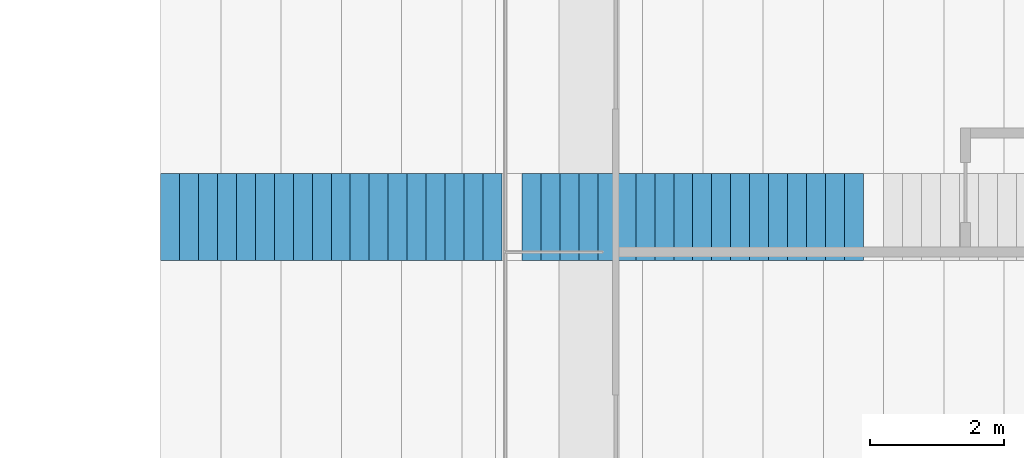
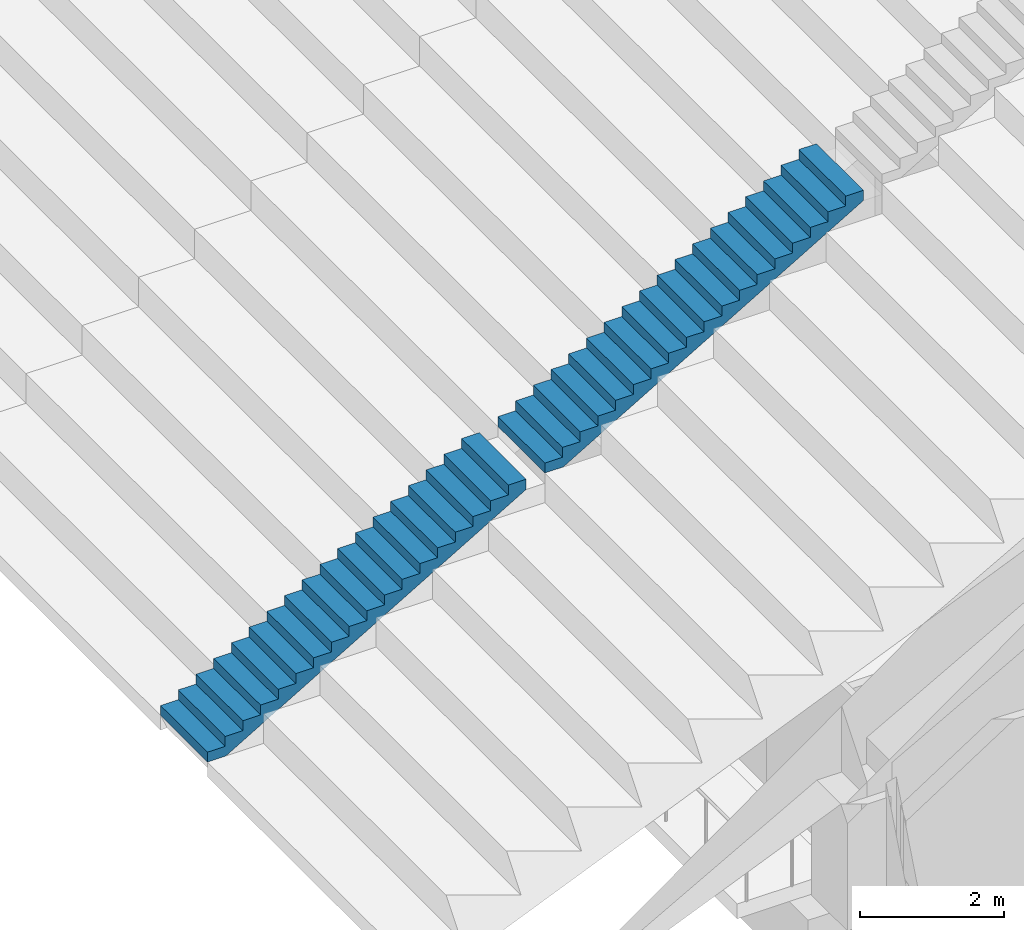
# One storey, part 174 of 249: 2 stair flights, 1 element without a shape of its own.
"""IFC4 building model written with IfcOpenShell, lengths in metres."""

from ifc_helpers import new_model, si_unit, direction, frame, origin, place, context, subcontext, project, spatial, faceted_brep, material, type_object, element, aggregate, save


model = new_model("IFC4")

# Units and contexts
model_context = context("Model", 3, precision=1e-05, world=origin(), true_north=direction((0.0, 1.0)))
body_context = subcontext(model_context, "Body", "Model", "MODEL_VIEW")
ifc_project = project(units=[si_unit("LENGTHUNIT", "METRE"), si_unit("AREAUNIT", "SQUARE_METRE"), si_unit("VOLUMEUNIT", "CUBIC_METRE"), si_unit("PLANEANGLEUNIT", "RADIAN"), si_unit("MASSUNIT", "GRAM", prefix="KILO")], contexts=[model_context])

# Site, building, storey
site_placement = place(None, origin())
site = spatial("IfcSite", under=ifc_project, at=site_placement, CompositionType="ELEMENT")
building_placement = place(site_placement, origin())
building = spatial("IfcBuilding", under=site, at=building_placement, Name="Ogive Plaza Stadium", CompositionType="ELEMENT")
storey_placement = place(building_placement, frame((0.0, 0.0, 13.5)))
storey = spatial("IfcBuildingStorey", under=building, at=storey_placement, Name="L03", CompositionType="ELEMENT", Elevation=13.5)

# Stair, stair flights
ifc_material_1 = material(Name="Concrete C40/50", Category="concrete")
stair_type = type_object("IfcStairType", Name="Aisle stair", PredefinedType="STRAIGHT_RUN_STAIR", material=ifc_material_1)
stair_placement = place(storey_placement, origin())
stair = element("IfcStair", 1, at=stair_placement, inside=storey, type_object=stair_type, Name="Aisle stair SA07U", PredefinedType="STRAIGHT_RUN_STAIR")
ifc_material_2 = material(Name="Concrete C40/50", Category="concrete")
stair_flight_type = type_object("IfcStairFlightType", Name="Aisle stair flight", PredefinedType="STRAIGHT", material=ifc_material_2)
stair_flight_1_placement = place(storey_placement, frame((55.5, -45.0, 0.5), z_axis=(0.0, 0.0, 1.0), x_axis=(1.0, 0.0, 0.0)))
stair_flight_1 = element("IfcStairFlight", 2, at=stair_flight_1_placement, type_object=stair_flight_type, Name="SA07U flight 1", NumberOfRisers=18, NumberOfTreads=17, PredefinedType="STRAIGHT", RiserHeight=0.166666667, TreadLength=0.283333333, context=body_context, shape_type="Brep", body=[
    faceted_brep([(0.295654296875, -0.64990234375, 0.0), (5.10009765625, -0.64990234375, 2.826171875), (5.10009765625, -0.64990234375, 3.0), (4.816650390625, -0.64990234375, 3.0), (4.816650390625, -0.64990234375, 2.833251953125), (4.533447265625, -0.64990234375, 2.833251953125), (4.533447265625, -0.64990234375, 2.666748046875), (4.25, -0.64990234375, 2.666748046875), (4.25, -0.64990234375, 2.5), (3.966552734375, -0.64990234375, 2.5), (3.966552734375, -0.64990234375, 2.333251953125), (3.683349609375, -0.64990234375, 2.333251953125), (3.683349609375, -0.64990234375, 2.166748046875), (3.39990234375, -0.64990234375, 2.166748046875), (3.39990234375, -0.64990234375, 2.0), (3.11669921875, -0.64990234375, 2.0), (3.11669921875, -0.64990234375, 1.833251953125), (2.833251953125, -0.64990234375, 1.833251953125), (2.833251953125, -0.64990234375, 1.666748046875), (2.550048828125, -0.64990234375, 1.666748046875), (2.550048828125, -0.64990234375, 1.5), (2.2666015625, -0.64990234375, 1.5), (2.2666015625, -0.64990234375, 1.333251953125), (1.9833984375, -0.64990234375, 1.333251953125), (1.9833984375, -0.64990234375, 1.166748046875), (1.699951171875, -0.64990234375, 1.166748046875), (1.699951171875, -0.64990234375, 1.0), (1.416748046875, -0.64990234375, 1.0), (1.416748046875, -0.64990234375, 0.833251953125), (1.13330078125, -0.64990234375, 0.833251953125), (1.13330078125, -0.64990234375, 0.666748046875), (0.85009765625, -0.64990234375, 0.666748046875), (0.85009765625, -0.64990234375, 0.5), (0.566650390625, -0.64990234375, 0.5), (0.566650390625, -0.64990234375, 0.333251953125), (0.283447265625, -0.64990234375, 0.333251953125), (0.283447265625, -0.64990234375, 0.166748046875), (0.0, -0.64990234375, 0.166748046875), (0.0, -0.64990234375, 0.0), (0.0, 0.64990234375, 0.0), (0.0, 0.64990234375, 0.166748046875), (0.283447265625, 0.64990234375, 0.166748046875), (0.283447265625, 0.64990234375, 0.333251953125), (0.566650390625, 0.64990234375, 0.333251953125), (0.566650390625, 0.64990234375, 0.5), (0.85009765625, 0.64990234375, 0.5), (0.85009765625, 0.64990234375, 0.666748046875), (1.13330078125, 0.64990234375, 0.666748046875), (1.13330078125, 0.64990234375, 0.833251953125), (1.416748046875, 0.64990234375, 0.833251953125), (1.416748046875, 0.64990234375, 1.0), (1.699951171875, 0.64990234375, 1.0), (1.699951171875, 0.64990234375, 1.166748046875), (1.9833984375, 0.64990234375, 1.166748046875), (1.9833984375, 0.64990234375, 1.333251953125), (2.2666015625, 0.64990234375, 1.333251953125), (2.2666015625, 0.64990234375, 1.5), (2.550048828125, 0.64990234375, 1.5), (2.550048828125, 0.64990234375, 1.666748046875), (2.833251953125, 0.64990234375, 1.666748046875), (2.833251953125, 0.64990234375, 1.833251953125), (3.11669921875, 0.64990234375, 1.833251953125), (3.11669921875, 0.64990234375, 2.0), (3.39990234375, 0.64990234375, 2.0), (3.39990234375, 0.64990234375, 2.166748046875), (3.683349609375, 0.64990234375, 2.166748046875), (3.683349609375, 0.64990234375, 2.333251953125), (3.966552734375, 0.64990234375, 2.333251953125), (3.966552734375, 0.64990234375, 2.5), (4.25, 0.64990234375, 2.5), (4.25, 0.64990234375, 2.666748046875), (4.533447265625, 0.64990234375, 2.666748046875), (4.533447265625, 0.64990234375, 2.833251953125), (4.816650390625, 0.64990234375, 2.833251953125), (4.816650390625, 0.64990234375, 3.0), (5.10009765625, 0.64990234375, 3.0), (5.10009765625, 0.64990234375, 2.826171875), (0.295654296875, 0.64990234375, 0.0), (0.295654296875, -0.324951171875, 0.0), (5.10009765625, -0.324951171875, 2.826171875), (0.295654296875, 0.0, 0.0), (5.10009765625, 0.0, 2.826171875), (0.295654296875, 0.324951171875, 0.0), (5.10009765625, 0.324951171875, 2.826171875), (5.10009765625, -0.324951171875, 3.0), (5.10009765625, 0.0, 3.0), (5.10009765625, 0.324951171875, 3.0), (4.816650390625, -0.324951171875, 3.0), (4.816650390625, 0.0, 3.0), (4.816650390625, 0.324951171875, 3.0), (4.816650390625, -0.324951171875, 2.833251953125), (4.816650390625, 0.0, 2.833251953125), (4.816650390625, 0.324951171875, 2.833251953125), (4.533447265625, -0.324951171875, 2.833251953125), (4.533447265625, 0.0, 2.833251953125), (4.533447265625, 0.324951171875, 2.833251953125), (4.533447265625, -0.324951171875, 2.666748046875), (4.533447265625, 0.0, 2.666748046875), (4.533447265625, 0.324951171875, 2.666748046875), (4.25, -0.324951171875, 2.666748046875), (4.25, 0.0, 2.666748046875), (4.25, 0.324951171875, 2.666748046875), (4.25, -0.324951171875, 2.5), (4.25, 0.0, 2.5), (4.25, 0.324951171875, 2.5), (3.966552734375, -0.324951171875, 2.5), (3.966552734375, 0.0, 2.5), (3.966552734375, 0.324951171875, 2.5), (3.966552734375, -0.324951171875, 2.333251953125), (3.966552734375, 0.0, 2.333251953125), (3.966552734375, 0.324951171875, 2.333251953125), (3.683349609375, -0.324951171875, 2.333251953125), (3.683349609375, 0.0, 2.333251953125), (3.683349609375, 0.324951171875, 2.333251953125), (3.683349609375, -0.324951171875, 2.166748046875), (3.683349609375, 0.0, 2.166748046875), (3.683349609375, 0.324951171875, 2.166748046875), (3.39990234375, -0.324951171875, 2.166748046875), (3.39990234375, 0.0, 2.166748046875), (3.39990234375, 0.324951171875, 2.166748046875), (3.39990234375, -0.324951171875, 2.0), (3.39990234375, 0.0, 2.0), (3.39990234375, 0.324951171875, 2.0), (3.11669921875, -0.324951171875, 2.0), (3.11669921875, 0.0, 2.0), (3.11669921875, 0.324951171875, 2.0), (3.11669921875, -0.324951171875, 1.833251953125), (3.11669921875, 0.0, 1.833251953125), (3.11669921875, 0.324951171875, 1.833251953125), (2.833251953125, -0.324951171875, 1.833251953125), (2.833251953125, 0.0, 1.833251953125), (2.833251953125, 0.324951171875, 1.833251953125), (2.833251953125, -0.324951171875, 1.666748046875), (2.833251953125, 0.0, 1.666748046875), (2.833251953125, 0.324951171875, 1.666748046875), (2.550048828125, -0.324951171875, 1.666748046875), (2.550048828125, 0.0, 1.666748046875), (2.550048828125, 0.324951171875, 1.666748046875), (2.550048828125, -0.324951171875, 1.5), (2.550048828125, 0.0, 1.5), (2.550048828125, 0.324951171875, 1.5), (2.2666015625, -0.324951171875, 1.5), (2.2666015625, 0.0, 1.5), (2.2666015625, 0.324951171875, 1.5), (2.2666015625, -0.324951171875, 1.333251953125), (2.2666015625, 0.0, 1.333251953125), (2.2666015625, 0.324951171875, 1.333251953125), (1.9833984375, -0.324951171875, 1.333251953125), (1.9833984375, 0.0, 1.333251953125), (1.9833984375, 0.324951171875, 1.333251953125), (1.9833984375, -0.324951171875, 1.166748046875), (1.9833984375, 0.0, 1.166748046875), (1.9833984375, 0.324951171875, 1.166748046875), (1.699951171875, -0.324951171875, 1.166748046875), (1.699951171875, 0.0, 1.166748046875), (1.699951171875, 0.324951171875, 1.166748046875), (1.699951171875, -0.324951171875, 1.0), (1.699951171875, 0.0, 1.0), (1.699951171875, 0.324951171875, 1.0), (1.416748046875, -0.324951171875, 1.0), (1.416748046875, 0.0, 1.0), (1.416748046875, 0.324951171875, 1.0), (1.416748046875, -0.324951171875, 0.833251953125), (1.416748046875, 0.0, 0.833251953125), (1.416748046875, 0.324951171875, 0.833251953125), (1.13330078125, -0.324951171875, 0.833251953125), (1.13330078125, 0.0, 0.833251953125), (1.13330078125, 0.324951171875, 0.833251953125), (1.13330078125, -0.324951171875, 0.666748046875), (1.13330078125, 0.0, 0.666748046875), (1.13330078125, 0.324951171875, 0.666748046875), (0.85009765625, -0.324951171875, 0.666748046875), (0.85009765625, 0.0, 0.666748046875), (0.85009765625, 0.324951171875, 0.666748046875), (0.85009765625, -0.324951171875, 0.5), (0.85009765625, 0.0, 0.5), (0.85009765625, 0.324951171875, 0.5), (0.566650390625, -0.324951171875, 0.5), (0.566650390625, 0.0, 0.5), (0.566650390625, 0.324951171875, 0.5), (0.566650390625, -0.324951171875, 0.333251953125), (0.566650390625, 0.0, 0.333251953125), (0.566650390625, 0.324951171875, 0.333251953125), (0.283447265625, -0.324951171875, 0.333251953125), (0.283447265625, 0.0, 0.333251953125), (0.283447265625, 0.324951171875, 0.333251953125), (0.283447265625, -0.324951171875, 0.166748046875), (0.283447265625, 0.0, 0.166748046875), (0.283447265625, 0.324951171875, 0.166748046875), (0.0, -0.324951171875, 0.166748046875), (0.0, 0.0, 0.166748046875), (0.0, 0.324951171875, 0.166748046875), (0.0, -0.324951171875, 0.0), (0.0, 0.0, 0.0), (0.0, 0.324951171875, 0.0)], [[[0, 1, 2, 3, 4, 5, 6, 7, 8, 9, 10, 11, 12, 13, 14, 15, 16, 17, 18, 19, 20, 21, 22, 23, 24, 25, 26, 27, 28, 29, 30, 31, 32, 33, 34, 35, 36, 37, 38]], [[39, 40, 41, 42, 43, 44, 45, 46, 47, 48, 49, 50, 51, 52, 53, 54, 55, 56, 57, 58, 59, 60, 61, 62, 63, 64, 65, 66, 67, 68, 69, 70, 71, 72, 73, 74, 75, 76, 77]], [[0, 78, 79, 1]], [[78, 80, 81, 79]], [[80, 82, 83, 81]], [[82, 77, 76, 83]], [[1, 79, 84, 2]], [[79, 81, 85, 84]], [[81, 83, 86, 85]], [[83, 76, 75, 86]], [[2, 84, 87, 3]], [[84, 85, 88, 87]], [[85, 86, 89, 88]], [[86, 75, 74, 89]], [[3, 87, 90, 4]], [[87, 88, 91, 90]], [[88, 89, 92, 91]], [[89, 74, 73, 92]], [[4, 90, 93, 5]], [[90, 91, 94, 93]], [[91, 92, 95, 94]], [[92, 73, 72, 95]], [[5, 93, 96, 6]], [[93, 94, 97, 96]], [[94, 95, 98, 97]], [[95, 72, 71, 98]], [[6, 96, 99, 7]], [[96, 97, 100, 99]], [[97, 98, 101, 100]], [[98, 71, 70, 101]], [[7, 99, 102, 8]], [[99, 100, 103, 102]], [[100, 101, 104, 103]], [[101, 70, 69, 104]], [[8, 102, 105, 9]], [[102, 103, 106, 105]], [[103, 104, 107, 106]], [[104, 69, 68, 107]], [[9, 105, 108, 10]], [[105, 106, 109, 108]], [[106, 107, 110, 109]], [[107, 68, 67, 110]], [[10, 108, 111, 11]], [[108, 109, 112, 111]], [[109, 110, 113, 112]], [[110, 67, 66, 113]], [[11, 111, 114, 12]], [[111, 112, 115, 114]], [[112, 113, 116, 115]], [[113, 66, 65, 116]], [[12, 114, 117, 13]], [[114, 115, 118, 117]], [[115, 116, 119, 118]], [[116, 65, 64, 119]], [[13, 117, 120, 14]], [[117, 118, 121, 120]], [[118, 119, 122, 121]], [[119, 64, 63, 122]], [[14, 120, 123, 15]], [[120, 121, 124, 123]], [[121, 122, 125, 124]], [[122, 63, 62, 125]], [[15, 123, 126, 16]], [[123, 124, 127, 126]], [[124, 125, 128, 127]], [[125, 62, 61, 128]], [[16, 126, 129, 17]], [[126, 127, 130, 129]], [[127, 128, 131, 130]], [[128, 61, 60, 131]], [[17, 129, 132, 18]], [[129, 130, 133, 132]], [[130, 131, 134, 133]], [[131, 60, 59, 134]], [[18, 132, 135, 19]], [[132, 133, 136, 135]], [[133, 134, 137, 136]], [[134, 59, 58, 137]], [[19, 135, 138, 20]], [[135, 136, 139, 138]], [[136, 137, 140, 139]], [[137, 58, 57, 140]], [[20, 138, 141, 21]], [[138, 139, 142, 141]], [[139, 140, 143, 142]], [[140, 57, 56, 143]], [[21, 141, 144, 22]], [[141, 142, 145, 144]], [[142, 143, 146, 145]], [[143, 56, 55, 146]], [[22, 144, 147, 23]], [[144, 145, 148, 147]], [[145, 146, 149, 148]], [[146, 55, 54, 149]], [[23, 147, 150, 24]], [[147, 148, 151, 150]], [[148, 149, 152, 151]], [[149, 54, 53, 152]], [[24, 150, 153, 25]], [[150, 151, 154, 153]], [[151, 152, 155, 154]], [[152, 53, 52, 155]], [[25, 153, 156, 26]], [[153, 154, 157, 156]], [[154, 155, 158, 157]], [[155, 52, 51, 158]], [[26, 156, 159, 27]], [[156, 157, 160, 159]], [[157, 158, 161, 160]], [[158, 51, 50, 161]], [[27, 159, 162, 28]], [[159, 160, 163, 162]], [[160, 161, 164, 163]], [[161, 50, 49, 164]], [[28, 162, 165, 29]], [[162, 163, 166, 165]], [[163, 164, 167, 166]], [[164, 49, 48, 167]], [[29, 165, 168, 30]], [[165, 166, 169, 168]], [[166, 167, 170, 169]], [[167, 48, 47, 170]], [[30, 168, 171, 31]], [[168, 169, 172, 171]], [[169, 170, 173, 172]], [[170, 47, 46, 173]], [[31, 171, 174, 32]], [[171, 172, 175, 174]], [[172, 173, 176, 175]], [[173, 46, 45, 176]], [[32, 174, 177, 33]], [[174, 175, 178, 177]], [[175, 176, 179, 178]], [[176, 45, 44, 179]], [[33, 177, 180, 34]], [[177, 178, 181, 180]], [[178, 179, 182, 181]], [[179, 44, 43, 182]], [[34, 180, 183, 35]], [[180, 181, 184, 183]], [[181, 182, 185, 184]], [[182, 43, 42, 185]], [[35, 183, 186, 36]], [[183, 184, 187, 186]], [[184, 185, 188, 187]], [[185, 42, 41, 188]], [[36, 186, 189, 37]], [[186, 187, 190, 189]], [[187, 188, 191, 190]], [[188, 41, 40, 191]], [[37, 189, 192, 38]], [[189, 190, 193, 192]], [[190, 191, 194, 193]], [[191, 40, 39, 194]], [[38, 192, 78, 0]], [[192, 193, 80, 78]], [[193, 194, 82, 80]], [[194, 39, 77, 82]]]),
])
stair_flight_2_placement = place(storey_placement, frame((60.89990234375, -45.0, 3.5), z_axis=(0.0, 0.0, 1.0), x_axis=(1.0, 0.0, 0.0)))
stair_flight_2 = element("IfcStairFlight", 3, at=stair_flight_2_placement, type_object=stair_flight_type, Name="SA07U flight 2", NumberOfRisers=18, NumberOfTreads=17, PredefinedType="STRAIGHT", RiserHeight=0.166666667, TreadLength=0.283333333, context=body_context, shape_type="Brep", body=[
    faceted_brep([(0.295654296875, -0.64990234375, 0.0), (5.10009765625, -0.64990234375, 2.826171875), (5.10009765625, -0.64990234375, 3.0), (4.816650390625, -0.64990234375, 3.0), (4.816650390625, -0.64990234375, 2.833251953125), (4.533447265625, -0.64990234375, 2.833251953125), (4.533447265625, -0.64990234375, 2.666748046875), (4.25, -0.64990234375, 2.666748046875), (4.25, -0.64990234375, 2.5), (3.966552734375, -0.64990234375, 2.5), (3.966552734375, -0.64990234375, 2.333251953125), (3.683349609375, -0.64990234375, 2.333251953125), (3.683349609375, -0.64990234375, 2.166748046875), (3.39990234375, -0.64990234375, 2.166748046875), (3.39990234375, -0.64990234375, 2.0), (3.11669921875, -0.64990234375, 2.0), (3.11669921875, -0.64990234375, 1.833251953125), (2.833251953125, -0.64990234375, 1.833251953125), (2.833251953125, -0.64990234375, 1.666748046875), (2.550048828125, -0.64990234375, 1.666748046875), (2.550048828125, -0.64990234375, 1.5), (2.2666015625, -0.64990234375, 1.5), (2.2666015625, -0.64990234375, 1.333251953125), (1.9833984375, -0.64990234375, 1.333251953125), (1.9833984375, -0.64990234375, 1.166748046875), (1.699951171875, -0.64990234375, 1.166748046875), (1.699951171875, -0.64990234375, 1.0), (1.416748046875, -0.64990234375, 1.0), (1.416748046875, -0.64990234375, 0.833251953125), (1.13330078125, -0.64990234375, 0.833251953125), (1.13330078125, -0.64990234375, 0.666748046875), (0.85009765625, -0.64990234375, 0.666748046875), (0.85009765625, -0.64990234375, 0.5), (0.566650390625, -0.64990234375, 0.5), (0.566650390625, -0.64990234375, 0.333251953125), (0.283447265625, -0.64990234375, 0.333251953125), (0.283447265625, -0.64990234375, 0.166748046875), (0.0, -0.64990234375, 0.166748046875), (0.0, -0.64990234375, 0.0), (0.0, 0.64990234375, 0.0), (0.0, 0.64990234375, 0.166748046875), (0.283447265625, 0.64990234375, 0.166748046875), (0.283447265625, 0.64990234375, 0.333251953125), (0.566650390625, 0.64990234375, 0.333251953125), (0.566650390625, 0.64990234375, 0.5), (0.85009765625, 0.64990234375, 0.5), (0.85009765625, 0.64990234375, 0.666748046875), (1.13330078125, 0.64990234375, 0.666748046875), (1.13330078125, 0.64990234375, 0.833251953125), (1.416748046875, 0.64990234375, 0.833251953125), (1.416748046875, 0.64990234375, 1.0), (1.699951171875, 0.64990234375, 1.0), (1.699951171875, 0.64990234375, 1.166748046875), (1.9833984375, 0.64990234375, 1.166748046875), (1.9833984375, 0.64990234375, 1.333251953125), (2.2666015625, 0.64990234375, 1.333251953125), (2.2666015625, 0.64990234375, 1.5), (2.550048828125, 0.64990234375, 1.5), (2.550048828125, 0.64990234375, 1.666748046875), (2.833251953125, 0.64990234375, 1.666748046875), (2.833251953125, 0.64990234375, 1.833251953125), (3.11669921875, 0.64990234375, 1.833251953125), (3.11669921875, 0.64990234375, 2.0), (3.39990234375, 0.64990234375, 2.0), (3.39990234375, 0.64990234375, 2.166748046875), (3.683349609375, 0.64990234375, 2.166748046875), (3.683349609375, 0.64990234375, 2.333251953125), (3.966552734375, 0.64990234375, 2.333251953125), (3.966552734375, 0.64990234375, 2.5), (4.25, 0.64990234375, 2.5), (4.25, 0.64990234375, 2.666748046875), (4.533447265625, 0.64990234375, 2.666748046875), (4.533447265625, 0.64990234375, 2.833251953125), (4.816650390625, 0.64990234375, 2.833251953125), (4.816650390625, 0.64990234375, 3.0), (5.10009765625, 0.64990234375, 3.0), (5.10009765625, 0.64990234375, 2.826171875), (0.295654296875, 0.64990234375, 0.0), (0.295654296875, -0.324951171875, 0.0), (5.10009765625, -0.324951171875, 2.826171875), (0.295654296875, 0.0, 0.0), (5.10009765625, 0.0, 2.826171875), (0.295654296875, 0.324951171875, 0.0), (5.10009765625, 0.324951171875, 2.826171875), (5.10009765625, -0.324951171875, 3.0), (5.10009765625, 0.0, 3.0), (5.10009765625, 0.324951171875, 3.0), (4.816650390625, -0.324951171875, 3.0), (4.816650390625, 0.0, 3.0), (4.816650390625, 0.324951171875, 3.0), (4.816650390625, -0.324951171875, 2.833251953125), (4.816650390625, 0.0, 2.833251953125), (4.816650390625, 0.324951171875, 2.833251953125), (4.533447265625, -0.324951171875, 2.833251953125), (4.533447265625, 0.0, 2.833251953125), (4.533447265625, 0.324951171875, 2.833251953125), (4.533447265625, -0.324951171875, 2.666748046875), (4.533447265625, 0.0, 2.666748046875), (4.533447265625, 0.324951171875, 2.666748046875), (4.25, -0.324951171875, 2.666748046875), (4.25, 0.0, 2.666748046875), (4.25, 0.324951171875, 2.666748046875), (4.25, -0.324951171875, 2.5), (4.25, 0.0, 2.5), (4.25, 0.324951171875, 2.5), (3.966552734375, -0.324951171875, 2.5), (3.966552734375, 0.0, 2.5), (3.966552734375, 0.324951171875, 2.5), (3.966552734375, -0.324951171875, 2.333251953125), (3.966552734375, 0.0, 2.333251953125), (3.966552734375, 0.324951171875, 2.333251953125), (3.683349609375, -0.324951171875, 2.333251953125), (3.683349609375, 0.0, 2.333251953125), (3.683349609375, 0.324951171875, 2.333251953125), (3.683349609375, -0.324951171875, 2.166748046875), (3.683349609375, 0.0, 2.166748046875), (3.683349609375, 0.324951171875, 2.166748046875), (3.39990234375, -0.324951171875, 2.166748046875), (3.39990234375, 0.0, 2.166748046875), (3.39990234375, 0.324951171875, 2.166748046875), (3.39990234375, -0.324951171875, 2.0), (3.39990234375, 0.0, 2.0), (3.39990234375, 0.324951171875, 2.0), (3.11669921875, -0.324951171875, 2.0), (3.11669921875, 0.0, 2.0), (3.11669921875, 0.324951171875, 2.0), (3.11669921875, -0.324951171875, 1.833251953125), (3.11669921875, 0.0, 1.833251953125), (3.11669921875, 0.324951171875, 1.833251953125), (2.833251953125, -0.324951171875, 1.833251953125), (2.833251953125, 0.0, 1.833251953125), (2.833251953125, 0.324951171875, 1.833251953125), (2.833251953125, -0.324951171875, 1.666748046875), (2.833251953125, 0.0, 1.666748046875), (2.833251953125, 0.324951171875, 1.666748046875), (2.550048828125, -0.324951171875, 1.666748046875), (2.550048828125, 0.0, 1.666748046875), (2.550048828125, 0.324951171875, 1.666748046875), (2.550048828125, -0.324951171875, 1.5), (2.550048828125, 0.0, 1.5), (2.550048828125, 0.324951171875, 1.5), (2.2666015625, -0.324951171875, 1.5), (2.2666015625, 0.0, 1.5), (2.2666015625, 0.324951171875, 1.5), (2.2666015625, -0.324951171875, 1.333251953125), (2.2666015625, 0.0, 1.333251953125), (2.2666015625, 0.324951171875, 1.333251953125), (1.9833984375, -0.324951171875, 1.333251953125), (1.9833984375, 0.0, 1.333251953125), (1.9833984375, 0.324951171875, 1.333251953125), (1.9833984375, -0.324951171875, 1.166748046875), (1.9833984375, 0.0, 1.166748046875), (1.9833984375, 0.324951171875, 1.166748046875), (1.699951171875, -0.324951171875, 1.166748046875), (1.699951171875, 0.0, 1.166748046875), (1.699951171875, 0.324951171875, 1.166748046875), (1.699951171875, -0.324951171875, 1.0), (1.699951171875, 0.0, 1.0), (1.699951171875, 0.324951171875, 1.0), (1.416748046875, -0.324951171875, 1.0), (1.416748046875, 0.0, 1.0), (1.416748046875, 0.324951171875, 1.0), (1.416748046875, -0.324951171875, 0.833251953125), (1.416748046875, 0.0, 0.833251953125), (1.416748046875, 0.324951171875, 0.833251953125), (1.13330078125, -0.324951171875, 0.833251953125), (1.13330078125, 0.0, 0.833251953125), (1.13330078125, 0.324951171875, 0.833251953125), (1.13330078125, -0.324951171875, 0.666748046875), (1.13330078125, 0.0, 0.666748046875), (1.13330078125, 0.324951171875, 0.666748046875), (0.85009765625, -0.324951171875, 0.666748046875), (0.85009765625, 0.0, 0.666748046875), (0.85009765625, 0.324951171875, 0.666748046875), (0.85009765625, -0.324951171875, 0.5), (0.85009765625, 0.0, 0.5), (0.85009765625, 0.324951171875, 0.5), (0.566650390625, -0.324951171875, 0.5), (0.566650390625, 0.0, 0.5), (0.566650390625, 0.324951171875, 0.5), (0.566650390625, -0.324951171875, 0.333251953125), (0.566650390625, 0.0, 0.333251953125), (0.566650390625, 0.324951171875, 0.333251953125), (0.283447265625, -0.324951171875, 0.333251953125), (0.283447265625, 0.0, 0.333251953125), (0.283447265625, 0.324951171875, 0.333251953125), (0.283447265625, -0.324951171875, 0.166748046875), (0.283447265625, 0.0, 0.166748046875), (0.283447265625, 0.324951171875, 0.166748046875), (0.0, -0.324951171875, 0.166748046875), (0.0, 0.0, 0.166748046875), (0.0, 0.324951171875, 0.166748046875), (0.0, -0.324951171875, 0.0), (0.0, 0.0, 0.0), (0.0, 0.324951171875, 0.0)], [[[0, 1, 2, 3, 4, 5, 6, 7, 8, 9, 10, 11, 12, 13, 14, 15, 16, 17, 18, 19, 20, 21, 22, 23, 24, 25, 26, 27, 28, 29, 30, 31, 32, 33, 34, 35, 36, 37, 38]], [[39, 40, 41, 42, 43, 44, 45, 46, 47, 48, 49, 50, 51, 52, 53, 54, 55, 56, 57, 58, 59, 60, 61, 62, 63, 64, 65, 66, 67, 68, 69, 70, 71, 72, 73, 74, 75, 76, 77]], [[0, 78, 79, 1]], [[78, 80, 81, 79]], [[80, 82, 83, 81]], [[82, 77, 76, 83]], [[1, 79, 84, 2]], [[79, 81, 85, 84]], [[81, 83, 86, 85]], [[83, 76, 75, 86]], [[2, 84, 87, 3]], [[84, 85, 88, 87]], [[85, 86, 89, 88]], [[86, 75, 74, 89]], [[3, 87, 90, 4]], [[87, 88, 91, 90]], [[88, 89, 92, 91]], [[89, 74, 73, 92]], [[4, 90, 93, 5]], [[90, 91, 94, 93]], [[91, 92, 95, 94]], [[92, 73, 72, 95]], [[5, 93, 96, 6]], [[93, 94, 97, 96]], [[94, 95, 98, 97]], [[95, 72, 71, 98]], [[6, 96, 99, 7]], [[96, 97, 100, 99]], [[97, 98, 101, 100]], [[98, 71, 70, 101]], [[7, 99, 102, 8]], [[99, 100, 103, 102]], [[100, 101, 104, 103]], [[101, 70, 69, 104]], [[8, 102, 105, 9]], [[102, 103, 106, 105]], [[103, 104, 107, 106]], [[104, 69, 68, 107]], [[9, 105, 108, 10]], [[105, 106, 109, 108]], [[106, 107, 110, 109]], [[107, 68, 67, 110]], [[10, 108, 111, 11]], [[108, 109, 112, 111]], [[109, 110, 113, 112]], [[110, 67, 66, 113]], [[11, 111, 114, 12]], [[111, 112, 115, 114]], [[112, 113, 116, 115]], [[113, 66, 65, 116]], [[12, 114, 117, 13]], [[114, 115, 118, 117]], [[115, 116, 119, 118]], [[116, 65, 64, 119]], [[13, 117, 120, 14]], [[117, 118, 121, 120]], [[118, 119, 122, 121]], [[119, 64, 63, 122]], [[14, 120, 123, 15]], [[120, 121, 124, 123]], [[121, 122, 125, 124]], [[122, 63, 62, 125]], [[15, 123, 126, 16]], [[123, 124, 127, 126]], [[124, 125, 128, 127]], [[125, 62, 61, 128]], [[16, 126, 129, 17]], [[126, 127, 130, 129]], [[127, 128, 131, 130]], [[128, 61, 60, 131]], [[17, 129, 132, 18]], [[129, 130, 133, 132]], [[130, 131, 134, 133]], [[131, 60, 59, 134]], [[18, 132, 135, 19]], [[132, 133, 136, 135]], [[133, 134, 137, 136]], [[134, 59, 58, 137]], [[19, 135, 138, 20]], [[135, 136, 139, 138]], [[136, 137, 140, 139]], [[137, 58, 57, 140]], [[20, 138, 141, 21]], [[138, 139, 142, 141]], [[139, 140, 143, 142]], [[140, 57, 56, 143]], [[21, 141, 144, 22]], [[141, 142, 145, 144]], [[142, 143, 146, 145]], [[143, 56, 55, 146]], [[22, 144, 147, 23]], [[144, 145, 148, 147]], [[145, 146, 149, 148]], [[146, 55, 54, 149]], [[23, 147, 150, 24]], [[147, 148, 151, 150]], [[148, 149, 152, 151]], [[149, 54, 53, 152]], [[24, 150, 153, 25]], [[150, 151, 154, 153]], [[151, 152, 155, 154]], [[152, 53, 52, 155]], [[25, 153, 156, 26]], [[153, 154, 157, 156]], [[154, 155, 158, 157]], [[155, 52, 51, 158]], [[26, 156, 159, 27]], [[156, 157, 160, 159]], [[157, 158, 161, 160]], [[158, 51, 50, 161]], [[27, 159, 162, 28]], [[159, 160, 163, 162]], [[160, 161, 164, 163]], [[161, 50, 49, 164]], [[28, 162, 165, 29]], [[162, 163, 166, 165]], [[163, 164, 167, 166]], [[164, 49, 48, 167]], [[29, 165, 168, 30]], [[165, 166, 169, 168]], [[166, 167, 170, 169]], [[167, 48, 47, 170]], [[30, 168, 171, 31]], [[168, 169, 172, 171]], [[169, 170, 173, 172]], [[170, 47, 46, 173]], [[31, 171, 174, 32]], [[171, 172, 175, 174]], [[172, 173, 176, 175]], [[173, 46, 45, 176]], [[32, 174, 177, 33]], [[174, 175, 178, 177]], [[175, 176, 179, 178]], [[176, 45, 44, 179]], [[33, 177, 180, 34]], [[177, 178, 181, 180]], [[178, 179, 182, 181]], [[179, 44, 43, 182]], [[34, 180, 183, 35]], [[180, 181, 184, 183]], [[181, 182, 185, 184]], [[182, 43, 42, 185]], [[35, 183, 186, 36]], [[183, 184, 187, 186]], [[184, 185, 188, 187]], [[185, 42, 41, 188]], [[36, 186, 189, 37]], [[186, 187, 190, 189]], [[187, 188, 191, 190]], [[188, 41, 40, 191]], [[37, 189, 192, 38]], [[189, 190, 193, 192]], [[190, 191, 194, 193]], [[191, 40, 39, 194]], [[38, 192, 78, 0]], [[192, 193, 80, 78]], [[193, 194, 82, 80]], [[194, 39, 77, 82]]]),
])
aggregate(stair, [stair_flight_1, stair_flight_2])

save(model, "model.ifc")
